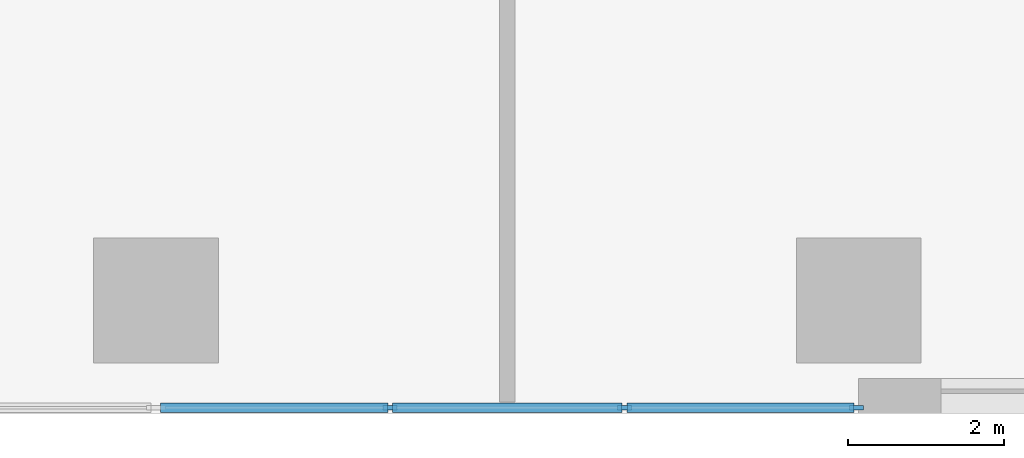
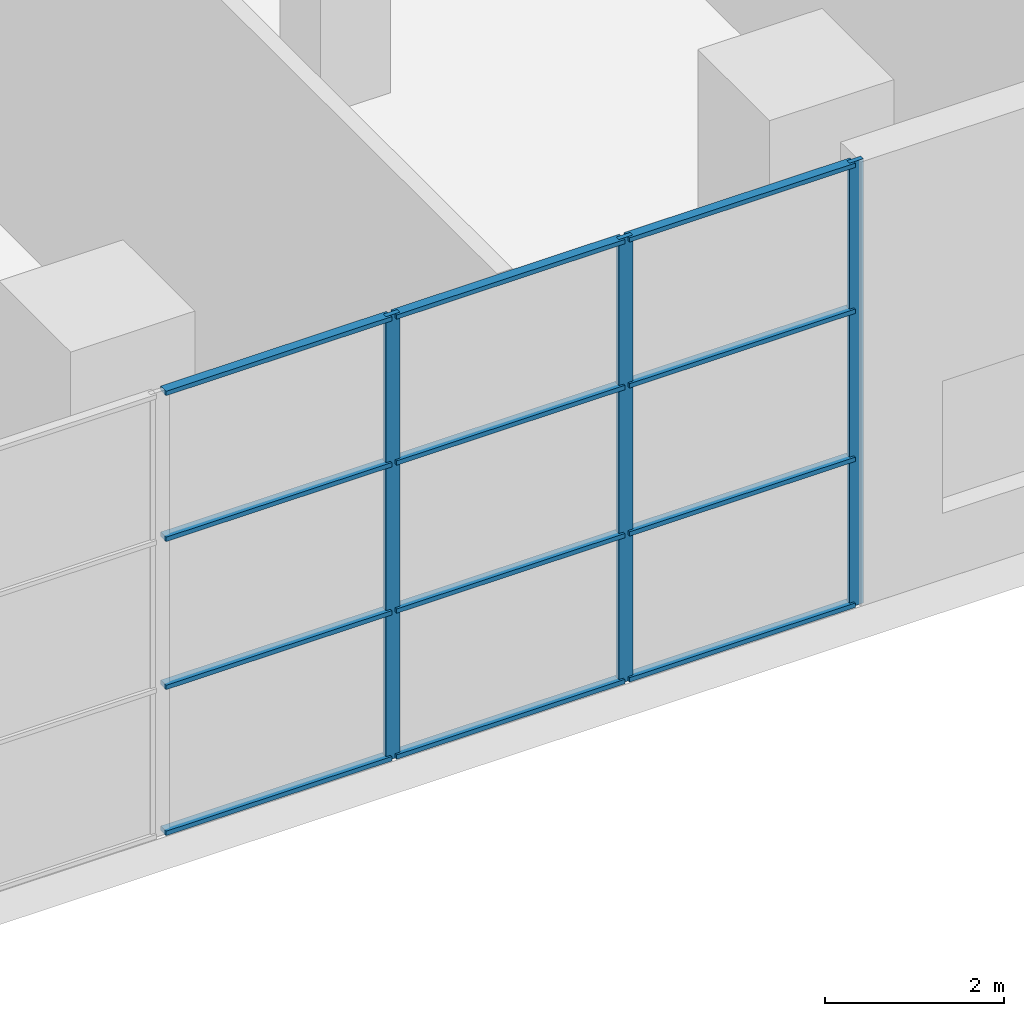
# One storey, part 5 of 24: 15 members, 1 element without a shape of its own.
"""IFC4 building model written with IfcOpenShell, lengths in metres."""

from ifc_helpers import new_model, si_unit, direction, frame, origin, origin_2d, place, context, subcontext, project, spatial, rectangle, extrude, material, material_profile, profile_set, type_object, element, aggregate, save


model = new_model("IFC4")

# Units and contexts
model_context = context("Model", 3, precision=1e-05, world=origin(), true_north=direction((0.0, 1.0)))
body_context = subcontext(model_context, "Body", "Model", "MODEL_VIEW")
ifc_project = project(units=[si_unit("LENGTHUNIT", "METRE"), si_unit("AREAUNIT", "SQUARE_METRE"), si_unit("VOLUMEUNIT", "CUBIC_METRE"), si_unit("PLANEANGLEUNIT", "RADIAN"), si_unit("MASSUNIT", "GRAM", prefix="KILO")], contexts=[model_context])

# Site, building, storey
site_placement = place(None, origin())
site = spatial("IfcSite", under=ifc_project, at=site_placement, CompositionType="ELEMENT")
building_placement = place(site_placement, origin())
building = spatial("IfcBuilding", under=site, at=building_placement, Name="Kajstack Hotel Tower", CompositionType="ELEMENT")
storey_placement = place(building_placement, frame((0.0, 0.0, 17.0)))
storey = spatial("IfcBuildingStorey", under=building, at=storey_placement, Name="L02", CompositionType="ELEMENT", Elevation=17.0)

# Curtain wall, members
ifc_material_1 = material(Name="Aluminium-framed curtain wall, low-iron laminated glass", Category="aluminium")
curtain_wall_type = type_object("IfcCurtainWallType", Name="CW-DINING", PredefinedType="NOTDEFINED", material=ifc_material_1)
curtain_wall_placement = place(storey_placement, origin())
curtain_wall = element("IfcCurtainWall", 1, at=curtain_wall_placement, inside=storey, type_object=curtain_wall_type, Name="Curtain wall CU2 L02-03-02-3", PredefinedType="NOTDEFINED")
ifc_material_2 = material(Name="Aluminium", Category="aluminium")
ifc_material_profile_1 = material_profile(ifc_material_2, rectangle(XDim=0.06005859375, YDim=0.179931640625, at=origin_2d()), Name="Aluminium mullion 60 x 180")
ifc_profile_set_1 = profile_set([ifc_material_profile_1], Name="Aluminium")
member_type_1 = type_object("IfcMemberType", Name="CW-M-DINING", PredefinedType="MULLION", material=ifc_profile_set_1)
member_1_placement = place(storey_placement, frame((21.0, -21.925048828125, 0.0), z_axis=(0.0, 0.0, 1.0), x_axis=(0.0, 1.0, 0.0)))
member_1 = element("IfcMember", 2, at=member_1_placement, type_object=member_type_1, Name="CU2 mullion 2", PredefinedType="MULLION", context=body_context, shape_type="SweptSolid", body=[
    extrude(rectangle(XDim=0.06005859375, YDim=0.179931640625, at=origin_2d()), origin(), (0.0, 0.0, 1.0), 6.050048828125),
])
member_2_placement = place(storey_placement, frame((24.0, -21.925048828125, 0.0), z_axis=(0.0, 0.0, 1.0), x_axis=(0.0, 1.0, 0.0)))
member_2 = element("IfcMember", 3, at=member_2_placement, type_object=member_type_1, Name="CU2 mullion 3", PredefinedType="MULLION", context=body_context, shape_type="SweptSolid", body=[
    extrude(rectangle(XDim=0.06005859375, YDim=0.179931640625, at=origin_2d()), origin(), (0.0, 0.0, 1.0), 6.050048828125),
])
member_3_placement = place(storey_placement, frame((26.969970703125, -21.925048828125, 0.0), z_axis=(0.0, 0.0, 1.0), x_axis=(0.0, 1.0, 0.0)))
member_3 = element("IfcMember", 4, at=member_3_placement, type_object=member_type_1, Name="CU2 mullion 4", PredefinedType="MULLION", context=body_context, shape_type="SweptSolid", body=[
    extrude(rectangle(XDim=0.06005859375, YDim=0.179931640625, at=origin_2d()), origin(), (0.0, 0.0, 1.0), 6.050048828125),
])
ifc_material_profile_2 = material_profile(ifc_material_2, rectangle(XDim=0.1201171875, YDim=0.06005859375, at=origin_2d()), Name="Aluminium transom 120 x 60")
ifc_profile_set_2 = profile_set([ifc_material_profile_2], Name="Aluminium")
member_type_2 = type_object("IfcMemberType", Name="CW-T-DINING", PredefinedType="USERDEFINED", material=ifc_profile_set_2)
member_4_placement = place(storey_placement, frame((18.06005859375, -21.925048828125, 0.030029296875), z_axis=(1.0, 0.0, 0.0), x_axis=(0.0, 1.0, 0.0)))
member_4 = element("IfcMember", 5, at=member_4_placement, type_object=member_type_2, Name="CU2 transom 1.1", ObjectType="TRANSOM", PredefinedType="USERDEFINED", context=body_context, shape_type="SweptSolid", body=[
    extrude(rectangle(XDim=0.1201171875, YDim=0.06005859375, at=origin_2d()), origin(), (0.0, 0.0, 1.0), 2.909912109375),
])
member_5_placement = place(storey_placement, frame((18.06005859375, -21.925048828125, 2.0166015625), z_axis=(1.0, 0.0, 0.0), x_axis=(0.0, 1.0, 0.0)))
member_5 = element("IfcMember", 6, at=member_5_placement, type_object=member_type_2, Name="CU2 transom 1.2", ObjectType="TRANSOM", PredefinedType="USERDEFINED", context=body_context, shape_type="SweptSolid", body=[
    extrude(rectangle(XDim=0.1201171875, YDim=0.06005859375, at=origin_2d()), origin(), (0.0, 0.0, 1.0), 2.909912109375),
])
member_6_placement = place(storey_placement, frame((18.06005859375, -21.925048828125, 4.033203125), z_axis=(1.0, 0.0, 0.0), x_axis=(0.0, 1.0, 0.0)))
member_6 = element("IfcMember", 7, at=member_6_placement, type_object=member_type_2, Name="CU2 transom 1.3", ObjectType="TRANSOM", PredefinedType="USERDEFINED", context=body_context, shape_type="SweptSolid", body=[
    extrude(rectangle(XDim=0.1201171875, YDim=0.06005859375, at=origin_2d()), origin(), (0.0, 0.0, 1.0), 2.909912109375),
])
member_7_placement = place(storey_placement, frame((18.06005859375, -21.925048828125, 6.02001953125), z_axis=(1.0, 0.0, 0.0), x_axis=(0.0, 1.0, 0.0)))
member_7 = element("IfcMember", 8, at=member_7_placement, type_object=member_type_2, Name="CU2 transom 1.4", ObjectType="TRANSOM", PredefinedType="USERDEFINED", context=body_context, shape_type="SweptSolid", body=[
    extrude(rectangle(XDim=0.1201171875, YDim=0.06005859375, at=origin_2d()), origin(), (0.0, 0.0, 1.0), 2.909912109375),
])
member_8_placement = place(storey_placement, frame((21.030029296875, -21.925048828125, 0.030029296875), z_axis=(1.0, 0.0, 0.0), x_axis=(0.0, 1.0, 0.0)))
member_8 = element("IfcMember", 9, at=member_8_placement, type_object=member_type_2, Name="CU2 transom 2.1", ObjectType="TRANSOM", PredefinedType="USERDEFINED", context=body_context, shape_type="SweptSolid", body=[
    extrude(rectangle(XDim=0.1201171875, YDim=0.06005859375, at=origin_2d()), origin(), (0.0, 0.0, 1.0), 2.93994140625),
])
member_9_placement = place(storey_placement, frame((21.030029296875, -21.925048828125, 2.0166015625), z_axis=(1.0, 0.0, 0.0), x_axis=(0.0, 1.0, 0.0)))
member_9 = element("IfcMember", 10, at=member_9_placement, type_object=member_type_2, Name="CU2 transom 2.2", ObjectType="TRANSOM", PredefinedType="USERDEFINED", context=body_context, shape_type="SweptSolid", body=[
    extrude(rectangle(XDim=0.1201171875, YDim=0.06005859375, at=origin_2d()), origin(), (0.0, 0.0, 1.0), 2.93994140625),
])
member_10_placement = place(storey_placement, frame((21.030029296875, -21.925048828125, 4.033203125), z_axis=(1.0, 0.0, 0.0), x_axis=(0.0, 1.0, 0.0)))
member_10 = element("IfcMember", 11, at=member_10_placement, type_object=member_type_2, Name="CU2 transom 2.3", ObjectType="TRANSOM", PredefinedType="USERDEFINED", context=body_context, shape_type="SweptSolid", body=[
    extrude(rectangle(XDim=0.1201171875, YDim=0.06005859375, at=origin_2d()), origin(), (0.0, 0.0, 1.0), 2.93994140625),
])
member_11_placement = place(storey_placement, frame((21.030029296875, -21.925048828125, 6.02001953125), z_axis=(1.0, 0.0, 0.0), x_axis=(0.0, 1.0, 0.0)))
member_11 = element("IfcMember", 12, at=member_11_placement, type_object=member_type_2, Name="CU2 transom 2.4", ObjectType="TRANSOM", PredefinedType="USERDEFINED", context=body_context, shape_type="SweptSolid", body=[
    extrude(rectangle(XDim=0.1201171875, YDim=0.06005859375, at=origin_2d()), origin(), (0.0, 0.0, 1.0), 2.93994140625),
])
member_12_placement = place(storey_placement, frame((24.030029296875, -21.925048828125, 0.030029296875), z_axis=(1.0, 0.0, 0.0), x_axis=(0.0, 1.0, 0.0)))
member_12 = element("IfcMember", 13, at=member_12_placement, type_object=member_type_2, Name="CU2 transom 3.1", ObjectType="TRANSOM", PredefinedType="USERDEFINED", context=body_context, shape_type="SweptSolid", body=[
    extrude(rectangle(XDim=0.1201171875, YDim=0.06005859375, at=origin_2d()), origin(), (0.0, 0.0, 1.0), 2.909912109375),
])
member_13_placement = place(storey_placement, frame((24.030029296875, -21.925048828125, 2.0166015625), z_axis=(1.0, 0.0, 0.0), x_axis=(0.0, 1.0, 0.0)))
member_13 = element("IfcMember", 14, at=member_13_placement, type_object=member_type_2, Name="CU2 transom 3.2", ObjectType="TRANSOM", PredefinedType="USERDEFINED", context=body_context, shape_type="SweptSolid", body=[
    extrude(rectangle(XDim=0.1201171875, YDim=0.06005859375, at=origin_2d()), origin(), (0.0, 0.0, 1.0), 2.909912109375),
])
member_14_placement = place(storey_placement, frame((24.030029296875, -21.925048828125, 4.033203125), z_axis=(1.0, 0.0, 0.0), x_axis=(0.0, 1.0, 0.0)))
member_14 = element("IfcMember", 15, at=member_14_placement, type_object=member_type_2, Name="CU2 transom 3.3", ObjectType="TRANSOM", PredefinedType="USERDEFINED", context=body_context, shape_type="SweptSolid", body=[
    extrude(rectangle(XDim=0.1201171875, YDim=0.06005859375, at=origin_2d()), origin(), (0.0, 0.0, 1.0), 2.909912109375),
])
member_15_placement = place(storey_placement, frame((24.030029296875, -21.925048828125, 6.02001953125), z_axis=(1.0, 0.0, 0.0), x_axis=(0.0, 1.0, 0.0)))
member_15 = element("IfcMember", 16, at=member_15_placement, type_object=member_type_2, Name="CU2 transom 3.4", ObjectType="TRANSOM", PredefinedType="USERDEFINED", context=body_context, shape_type="SweptSolid", body=[
    extrude(rectangle(XDim=0.1201171875, YDim=0.06005859375, at=origin_2d()), origin(), (0.0, 0.0, 1.0), 2.909912109375),
])
aggregate(curtain_wall, [member_1, member_2, member_3, member_4, member_5, member_6, member_7, member_8, member_9, member_10, member_11, member_12, member_13, member_14, member_15])

save(model, "model.ifc")
